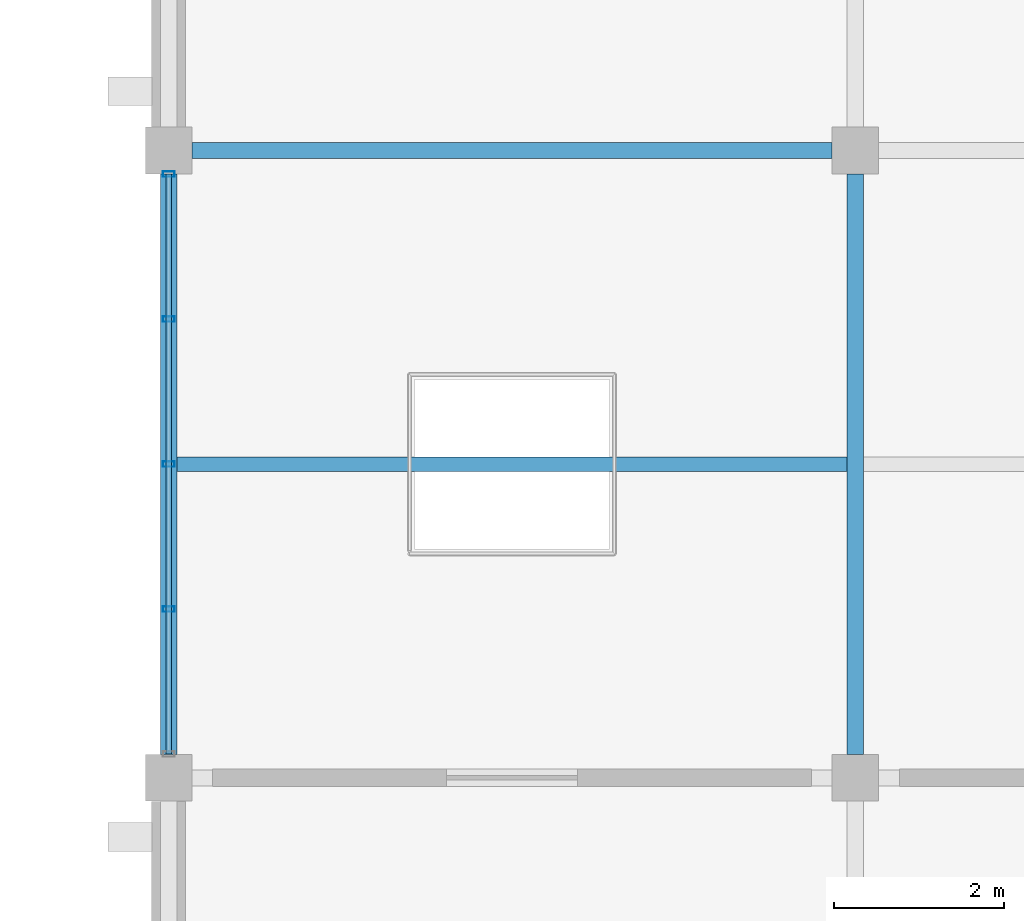
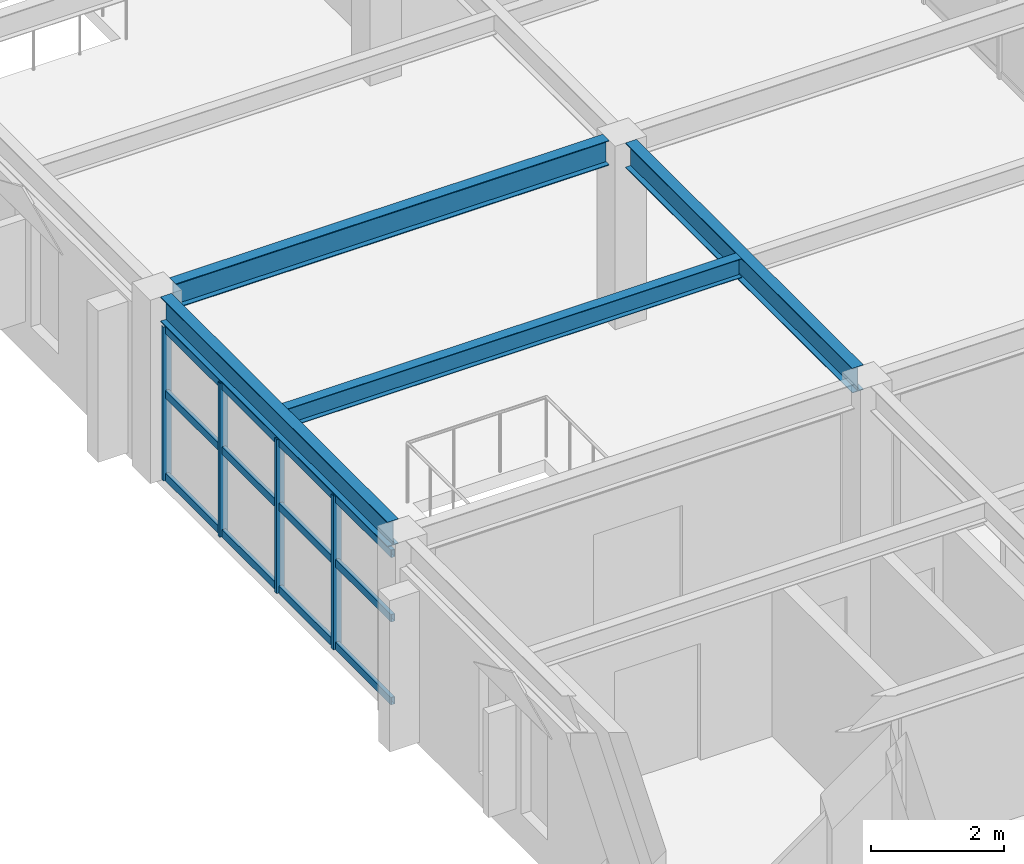
# One storey, part 11 of 93: 7 members, 4 beams, 1 element without a shape of its own.
"""IFC4 building model written with IfcOpenShell, lengths in metres."""

from ifc_helpers import new_model, si_unit, direction, frame, origin, origin_2d, place, context, subcontext, project, spatial, hollow_rectangle, i_section, extrude, material, material_profile, profile_set, type_object, element, aggregate, save


model = new_model("IFC4")

# Units and contexts
model_context = context("Model", 3, precision=1e-05, world=origin(), true_north=direction((0.0, 1.0)))
body_context = subcontext(model_context, "Body", "Model", "MODEL_VIEW")
ifc_project = project(units=[si_unit("LENGTHUNIT", "METRE"), si_unit("AREAUNIT", "SQUARE_METRE"), si_unit("VOLUMEUNIT", "CUBIC_METRE"), si_unit("PLANEANGLEUNIT", "RADIAN"), si_unit("MASSUNIT", "GRAM", prefix="KILO")], contexts=[model_context])

# Site, building, storey
site_placement = place(None, origin())
site = spatial("IfcSite", under=ifc_project, at=site_placement, CompositionType="ELEMENT")
building_placement = place(site_placement, origin())
building = spatial("IfcBuilding", under=site, at=building_placement, Name="Cimatlan Art Gallery", CompositionType="ELEMENT")
storey_placement = place(building_placement, frame((0.0, 0.0, 13.800048828125)))
storey = spatial("IfcBuildingStorey", under=building, at=storey_placement, Name="L03", CompositionType="ELEMENT", Elevation=13.800048828125)

# Beams
ifc_material_1 = material(Name="Steel ASTM A992 Grade 50", Category="steel")
ifc_material_profile_1 = material_profile(ifc_material_1, i_section(OverallWidth=0.1708984375, OverallDepth=0.35107421875, WebThickness=0.0068359375, FlangeThickness=0.009765625, at=origin_2d()), Name="W14X30")
ifc_profile_set_1 = profile_set([ifc_material_profile_1], Name="Steel ASTM A992 Grade 50")
beam_type_1 = type_object("IfcBeamType", Name="BM-STL-W14X30", PredefinedType="JOIST", material=ifc_profile_set_1)
beam_1_placement = place(storey_placement, frame((34.49560546875, 42.39990234375, 3.204345703125), z_axis=(1.0, 0.0, 0.0), x_axis=(0.0, 1.0, 0.0)))
element("IfcBeam", 1, at=beam_1_placement, inside=storey, type_object=beam_type_1, Name="JST-L03-04-05", PredefinedType="JOIST", context=body_context, shape_type="SweptSolid", body=[
    extrude(i_section(OverallWidth=0.1708984375, OverallDepth=0.35107421875, WebThickness=0.0068359375, FlangeThickness=0.009765625, at=origin_2d()), origin(), (0.0, 0.0, 1.0), 7.908935546875),
])
ifc_material_profile_2 = material_profile(ifc_material_1, i_section(OverallWidth=0.19091796875, OverallDepth=0.45703125, WebThickness=0.009033203125, FlangeThickness=0.014404296875, at=origin_2d()), Name="W18X50")
ifc_profile_set_2 = profile_set([ifc_material_profile_2], Name="Steel ASTM A992 Grade 50")
beam_type_2 = type_object("IfcBeamType", Name="BM-STL-W18X50", PredefinedType="BEAM", material=ifc_profile_set_2)
for number, where, z_axis, x_axis, name in (
    (2, (34.39990234375, 38.97509765625, 3.1513671875), (0.0, 1.0, 0.0), (-1.0, 0.0, 0.0), "BM-Y-L03-04-05"),
    (3, (42.5, 38.97509765625, 3.1513671875), (0.0, 1.0, 0.0), (-1.0, 0.0, 0.0), "BM-Y-L03-05-05"),
):
    element("IfcBeam", number, at=place(storey_placement, frame(where, z_axis=z_axis, x_axis=x_axis)), inside=storey, type_object=beam_type_2, Name=name, PredefinedType="BEAM", context=body_context, shape_type="SweptSolid", body=[
        extrude(i_section(OverallWidth=0.19091796875, OverallDepth=0.45703125, WebThickness=0.009033203125, FlangeThickness=0.014404296875, at=origin_2d()), origin(), (0.0, 0.0, 1.0), 6.849853515625),
    ])
beam_2_placement = place(storey_placement, frame((34.675048828125, 46.10009765625, 3.1513671875), z_axis=(1.0, 0.0, 0.0), x_axis=(0.0, 1.0, 0.0)))
element("IfcBeam", 4, at=beam_2_placement, inside=storey, type_object=beam_type_2, Name="BM-X-L03-04-06", PredefinedType="BEAM", context=body_context, shape_type="SweptSolid", body=[
    extrude(i_section(OverallWidth=0.19091796875, OverallDepth=0.45703125, WebThickness=0.009033203125, FlangeThickness=0.014404296875, at=origin_2d()), origin(), (0.0, 0.0, 1.0), 7.550048828125),
])

# Curtain wall, members
ifc_material_2 = material(Name="Anodised bronze unitised curtain wall")
curtain_wall_type = type_object("IfcCurtainWallType", Name="CW-V-06842X02833-B4", PredefinedType="NOTDEFINED", material=ifc_material_2)
curtain_wall_placement = place(storey_placement, origin())
curtain_wall = element("IfcCurtainWall", 5, at=curtain_wall_placement, inside=storey, type_object=curtain_wall_type, Name="CW-L03-04-05-W", PredefinedType="NOTDEFINED")
ifc_material_3 = material(Name="Anodised bronze aluminium 6063-T6", Category="aluminium")
ifc_material_profile_3 = material_profile(ifc_material_3, hollow_rectangle(XDim=0.06494140625, YDim=0.139892578125, WallThickness=0.00390625, at=origin_2d()), Name="ALU65X140X4")
ifc_profile_set_3 = profile_set([ifc_material_profile_3], Name="Anodised bronze aluminium 6063-T6")
member_type_1 = type_object("IfcMemberType", Name="CW-MUL-140", PredefinedType="MULLION", material=ifc_profile_set_3)
member_1_placement = place(storey_placement, frame((34.39990234375, 40.689453125, 0.0), z_axis=(0.0, 0.0, 1.0), x_axis=(0.0, 1.0, 0.0)))
member_1 = element("IfcMember", 6, at=member_1_placement, type_object=member_type_1, Name="CW-L03-04-05-W-M2", PredefinedType="MULLION", context=body_context, shape_type="SweptSolid", body=[
    extrude(hollow_rectangle(XDim=0.06494140625, YDim=0.139892578125, WallThickness=0.00390625, at=origin_2d()), origin(), (0.0, 0.0, 1.0), 2.8330078125),
])
member_2_placement = place(storey_placement, frame((34.39990234375, 42.39990234375, 0.0), z_axis=(0.0, 0.0, 1.0), x_axis=(0.0, 1.0, 0.0)))
member_2 = element("IfcMember", 7, at=member_2_placement, type_object=member_type_1, Name="CW-L03-04-05-W-M3", PredefinedType="MULLION", context=body_context, shape_type="SweptSolid", body=[
    extrude(hollow_rectangle(XDim=0.06494140625, YDim=0.139892578125, WallThickness=0.00390625, at=origin_2d()), origin(), (0.0, 0.0, 1.0), 2.8330078125),
])
member_3_placement = place(storey_placement, frame((34.39990234375, 44.110595703125, 0.0), z_axis=(0.0, 0.0, 1.0), x_axis=(0.0, 1.0, 0.0)))
member_3 = element("IfcMember", 8, at=member_3_placement, type_object=member_type_1, Name="CW-L03-04-05-W-M4", PredefinedType="MULLION", context=body_context, shape_type="SweptSolid", body=[
    extrude(hollow_rectangle(XDim=0.06494140625, YDim=0.139892578125, WallThickness=0.00390625, at=origin_2d()), origin(), (0.0, 0.0, 1.0), 2.8330078125),
])
member_4_placement = place(storey_placement, frame((34.39990234375, 45.821044921875, 0.0), z_axis=(0.0, 0.0, 1.0), x_axis=(0.0, 1.0, 0.0)))
member_4 = element("IfcMember", 9, at=member_4_placement, type_object=member_type_1, Name="CW-L03-04-05-W-M5", PredefinedType="MULLION", context=body_context, shape_type="SweptSolid", body=[
    extrude(hollow_rectangle(XDim=0.06494140625, YDim=0.139892578125, WallThickness=0.00390625, at=origin_2d()), origin(), (0.0, 0.0, 1.0), 2.8330078125),
])
ifc_material_profile_4 = material_profile(ifc_material_3, hollow_rectangle(XDim=0.06494140625, YDim=0.139892578125, WallThickness=0.00390625, at=origin_2d()), Name="ALU65X140X4")
ifc_profile_set_4 = profile_set([ifc_material_profile_4], Name="Anodised bronze aluminium 6063-T6")
member_type_2 = type_object("IfcMemberType", Name="CW-TRN-140", PredefinedType="USERDEFINED", material=ifc_profile_set_4)
member_5_placement = place(storey_placement, frame((34.39990234375, 38.97900390625, 0.06005859375), z_axis=(0.0, 1.0, 0.0), x_axis=(-1.0, 0.0, 0.0)))
member_5 = element("IfcMember", 10, at=member_5_placement, type_object=member_type_2, Name="CW-L03-04-05-W-T1", ObjectType="TRANSOM", PredefinedType="USERDEFINED", context=body_context, shape_type="SweptSolid", body=[
    extrude(hollow_rectangle(XDim=0.06494140625, YDim=0.139892578125, WallThickness=0.00390625, at=origin_2d()), origin(), (0.0, 0.0, 1.0), 6.842041015625),
])
member_6_placement = place(storey_placement, frame((34.39990234375, 38.97900390625, 1.58642578125), z_axis=(0.0, 1.0, 0.0), x_axis=(-1.0, 0.0, 0.0)))
member_6 = element("IfcMember", 11, at=member_6_placement, type_object=member_type_2, Name="CW-L03-04-05-W-T2", ObjectType="TRANSOM", PredefinedType="USERDEFINED", context=body_context, shape_type="SweptSolid", body=[
    extrude(hollow_rectangle(XDim=0.06494140625, YDim=0.139892578125, WallThickness=0.00390625, at=origin_2d()), origin(), (0.0, 0.0, 1.0), 6.842041015625),
])
member_7_placement = place(storey_placement, frame((34.39990234375, 38.97900390625, 2.77294921875), z_axis=(0.0, 1.0, 0.0), x_axis=(-1.0, 0.0, 0.0)))
member_7 = element("IfcMember", 12, at=member_7_placement, type_object=member_type_2, Name="CW-L03-04-05-W-T3", ObjectType="TRANSOM", PredefinedType="USERDEFINED", context=body_context, shape_type="SweptSolid", body=[
    extrude(hollow_rectangle(XDim=0.06494140625, YDim=0.139892578125, WallThickness=0.00390625, at=origin_2d()), origin(), (0.0, 0.0, 1.0), 6.842041015625),
])
aggregate(curtain_wall, [member_1, member_2, member_3, member_4, member_5, member_6, member_7])

save(model, "model.ifc")
